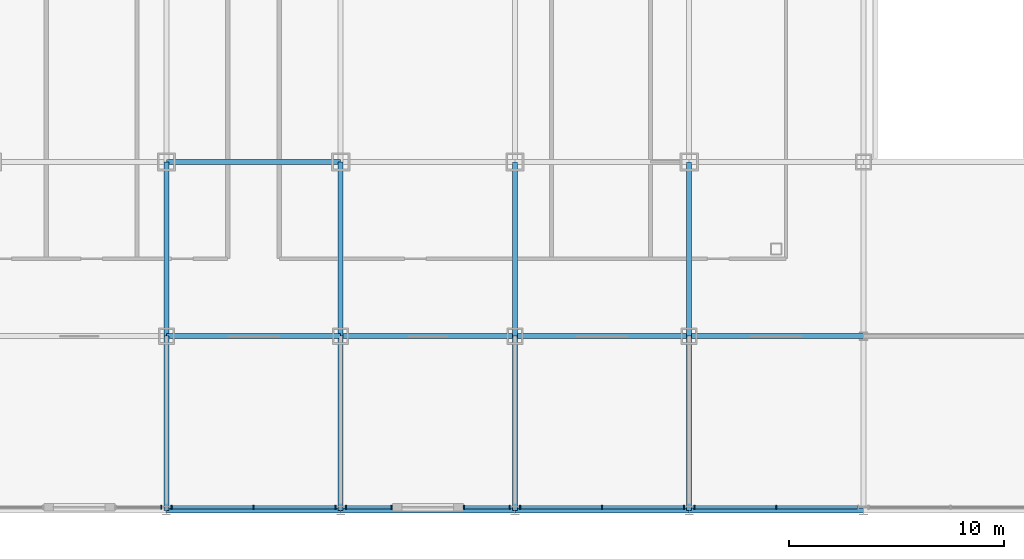
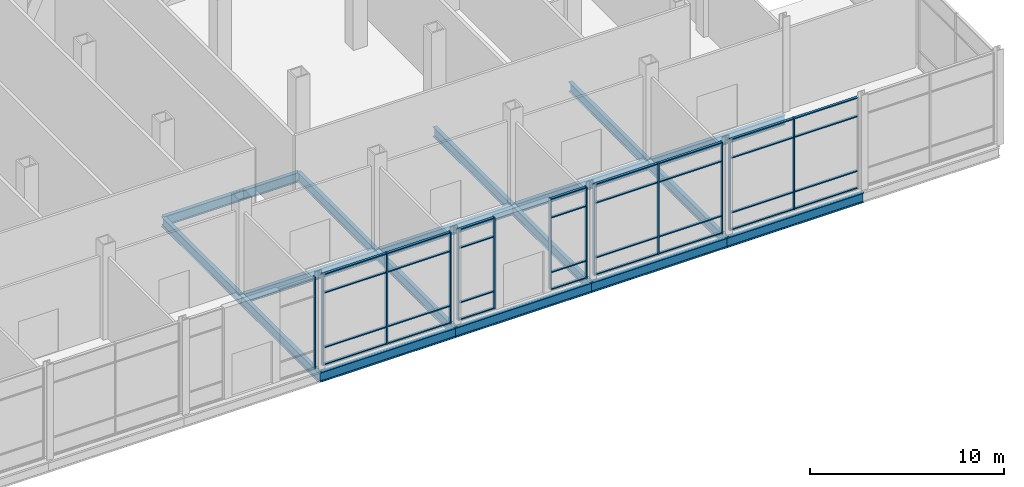
# One storey, part 12 of 35: 45 members, 17 beams, 6 elements without a shape of their own.
"""IFC4 building model written with IfcOpenShell, lengths in metres."""

from ifc_helpers import new_model, si_unit, direction, frame, origin, origin_2d, place, context, subcontext, project, spatial, rectangle, i_section, extrude, material, material_profile, profile_set, type_object, element, aggregate, save


model = new_model("IFC4")

# Units and contexts
model_context = context("Model", 3, precision=1e-05, world=origin(), true_north=direction((0.0, 1.0)))
body_context = subcontext(model_context, "Body", "Model", "MODEL_VIEW")
ifc_project = project(units=[si_unit("LENGTHUNIT", "METRE"), si_unit("AREAUNIT", "SQUARE_METRE"), si_unit("VOLUMEUNIT", "CUBIC_METRE"), si_unit("PLANEANGLEUNIT", "RADIAN"), si_unit("MASSUNIT", "GRAM", prefix="KILO")], contexts=[model_context])

# Site, building, storey
site_placement = place(None, origin())
site = spatial("IfcSite", under=ifc_project, at=site_placement, CompositionType="ELEMENT")
building_placement = place(site_placement, origin())
building = spatial("IfcBuilding", under=site, at=building_placement, Name="Kopane Lantern Tower", CompositionType="ELEMENT")
storey_placement = place(building_placement, origin())
storey = spatial("IfcBuildingStorey", under=building, at=storey_placement, Name="L00", CompositionType="ELEMENT", Elevation=0.0)

# Beams
ifc_material_1 = material(Name="Steel S355JR", Category="steel")
ifc_material_profile_1 = material_profile(ifc_material_1, i_section(OverallWidth=0.22900390625, OverallDepth=0.6123046875, WebThickness=0.011962890625, FlangeThickness=0.01953125, FilletRadius=0.0126953125, at=origin_2d()), Name="UB 610x229x125")
ifc_profile_set_1 = profile_set([ifc_material_profile_1], Name="Steel S355JR")
beam_type = type_object("IfcBeamType", Name="GIRDER UB 610x229x125", PredefinedType="BEAM", material=ifc_profile_set_1)
beam_1_placement = place(storey_placement, frame((24.300048828125, -8.10009765625, -0.55615234375), z_axis=(0.0, 1.0, 0.0), x_axis=(-1.0, 0.0, 0.0)))
element("IfcBeam", 1, at=beam_1_placement, inside=storey, type_object=beam_type, Name="Girder L00", PredefinedType="BEAM", context=body_context, shape_type="SweptSolid", body=[
    extrude(i_section(OverallWidth=0.22900390625, OverallDepth=0.6123046875, WebThickness=0.011962890625, FlangeThickness=0.01953125, FilletRadius=0.0126953125, at=origin_2d()), origin(), (0.0, 0.0, 1.0), 8.10009765625),
])
beam_2_placement = place(storey_placement, frame((24.300048828125, -8.10009765625, -0.55615234375), z_axis=(1.0, 0.0, 0.0), x_axis=(0.0, 1.0, 0.0)))
element("IfcBeam", 2, at=beam_2_placement, inside=storey, type_object=beam_type, Name="Girder L00", PredefinedType="BEAM", context=body_context, shape_type="SweptSolid", body=[
    extrude(i_section(OverallWidth=0.22900390625, OverallDepth=0.6123046875, WebThickness=0.011962890625, FlangeThickness=0.01953125, FilletRadius=0.0126953125, at=origin_2d()), origin(), (0.0, 0.0, 1.0), 8.099853515625),
])
beam_3_placement = place(storey_placement, frame((24.300048828125, 0.0, -0.55615234375), z_axis=(0.0, 1.0, 0.0), x_axis=(-1.0, 0.0, 0.0)))
element("IfcBeam", 3, at=beam_3_placement, inside=storey, type_object=beam_type, Name="Girder L00", PredefinedType="BEAM", context=body_context, shape_type="SweptSolid", body=[
    extrude(i_section(OverallWidth=0.22900390625, OverallDepth=0.6123046875, WebThickness=0.011962890625, FlangeThickness=0.01953125, FilletRadius=0.0126953125, at=origin_2d()), origin(), (0.0, 0.0, 1.0), 8.10009765625),
])
for number, where, z_axis, x_axis, name in (
    (4, (24.300048828125, 0.0, -0.55615234375), (1.0, 0.0, 0.0), (0.0, 1.0, 0.0), "Girder L00"),
    (5, (24.300048828125, 8.10009765625, -0.55615234375), (1.0, 0.0, 0.0), (0.0, 1.0, 0.0), "Girder L00"),
):
    element("IfcBeam", number, at=place(storey_placement, frame(where, z_axis=z_axis, x_axis=x_axis)), inside=storey, type_object=beam_type, Name=name, PredefinedType="BEAM", context=body_context, shape_type="SweptSolid", body=[
        extrude(i_section(OverallWidth=0.22900390625, OverallDepth=0.6123046875, WebThickness=0.011962890625, FlangeThickness=0.01953125, FilletRadius=0.0126953125, at=origin_2d()), origin(), (0.0, 0.0, 1.0), 8.099853515625),
    ])
for number, where, z_axis, x_axis, name in (
    (6, (32.39990234375, -8.10009765625, -0.55615234375), (0.0, 1.0, 0.0), (-1.0, 0.0, 0.0), "Girder L00"),
    (7, (32.39990234375, -8.10009765625, -0.55615234375), (1.0, 0.0, 0.0), (0.0, 1.0, 0.0), "Girder L00"),
    (8, (32.39990234375, 0.0, -0.55615234375), (0.0, 1.0, 0.0), (-1.0, 0.0, 0.0), "Girder L00"),
    (9, (32.39990234375, 0.0, -0.55615234375), (1.0, 0.0, 0.0), (0.0, 1.0, 0.0), "Girder L00"),
    (10, (40.5, -8.10009765625, -0.55615234375), (0.0, 1.0, 0.0), (-1.0, 0.0, 0.0), "Girder L00"),
    (11, (40.5, -8.10009765625, -0.55615234375), (1.0, 0.0, 0.0), (0.0, 1.0, 0.0), "Girder L00"),
    (12, (40.5, 0.0, -0.55615234375), (0.0, 1.0, 0.0), (-1.0, 0.0, 0.0), "Girder L00"),
    (13, (40.5, 0.0, -0.55615234375), (1.0, 0.0, 0.0), (0.0, 1.0, 0.0), "Girder L00"),
    (14, (48.60009765625, -8.10009765625, -0.55615234375), (0.0, 1.0, 0.0), (-1.0, 0.0, 0.0), "Girder L00"),
):
    element("IfcBeam", number, at=place(storey_placement, frame(where, z_axis=z_axis, x_axis=x_axis)), inside=storey, type_object=beam_type, Name=name, PredefinedType="BEAM", context=body_context, shape_type="SweptSolid", body=[
        extrude(i_section(OverallWidth=0.22900390625, OverallDepth=0.6123046875, WebThickness=0.011962890625, FlangeThickness=0.01953125, FilletRadius=0.0126953125, at=origin_2d()), origin(), (0.0, 0.0, 1.0), 8.10009765625),
    ])
beam_4_placement = place(storey_placement, frame((48.60009765625, -8.10009765625, -0.55615234375), z_axis=(1.0, 0.0, 0.0), x_axis=(0.0, 1.0, 0.0)))
element("IfcBeam", 15, at=beam_4_placement, inside=storey, type_object=beam_type, Name="Girder L00", PredefinedType="BEAM", context=body_context, shape_type="SweptSolid", body=[
    extrude(i_section(OverallWidth=0.22900390625, OverallDepth=0.6123046875, WebThickness=0.011962890625, FlangeThickness=0.01953125, FilletRadius=0.0126953125, at=origin_2d()), origin(), (0.0, 0.0, 1.0), 8.099853515625),
])
beam_5_placement = place(storey_placement, frame((48.60009765625, 0.0, -0.55615234375), z_axis=(0.0, 1.0, 0.0), x_axis=(-1.0, 0.0, 0.0)))
element("IfcBeam", 16, at=beam_5_placement, inside=storey, type_object=beam_type, Name="Girder L00", PredefinedType="BEAM", context=body_context, shape_type="SweptSolid", body=[
    extrude(i_section(OverallWidth=0.22900390625, OverallDepth=0.6123046875, WebThickness=0.011962890625, FlangeThickness=0.01953125, FilletRadius=0.0126953125, at=origin_2d()), origin(), (0.0, 0.0, 1.0), 8.10009765625),
])
beam_6_placement = place(storey_placement, frame((48.60009765625, 0.0, -0.55615234375), z_axis=(1.0, 0.0, 0.0), x_axis=(0.0, 1.0, 0.0)))
element("IfcBeam", 17, at=beam_6_placement, inside=storey, type_object=beam_type, Name="Girder L00", PredefinedType="BEAM", context=body_context, shape_type="SweptSolid", body=[
    extrude(i_section(OverallWidth=0.22900390625, OverallDepth=0.6123046875, WebThickness=0.011962890625, FlangeThickness=0.01953125, FilletRadius=0.0126953125, at=origin_2d()), origin(), (0.0, 0.0, 1.0), 8.099853515625),
])

# Curtain wall, member
ifc_material_2 = material(Name="Aluminium and clear glass", Category="aluminium")
curtain_wall_type = type_object("IfcCurtainWallType", Name="CURTAIN WALL CW1 PODIUM STOREFRONT", PredefinedType="USERDEFINED", material=ifc_material_2)
curtain_wall_1_placement = place(storey_placement, origin())
curtain_wall_1 = element("IfcCurtainWall", 18, at=curtain_wall_1_placement, inside=storey, type_object=curtain_wall_type, Name="Curtain wall CW1 S L00", ObjectType="CURTAIN WALL", PredefinedType="USERDEFINED")
ifc_material_3 = material(Name="Aluminium", Category="aluminium")
ifc_material_profile_2 = material_profile(ifc_material_3, rectangle(XDim=0.06494140625, YDim=0.199951171875, at=origin_2d()), Name="AL 65x200")
ifc_profile_set_2 = profile_set([ifc_material_profile_2], Name="Aluminium")
member_type_1 = type_object("IfcMemberType", Name="MULLION CW1-M 65x200", PredefinedType="MULLION", material=ifc_profile_set_2)
member_1_placement = place(storey_placement, frame((24.06103515625, -7.949951171875, 0.0), z_axis=(0.0, 0.0, 1.0), x_axis=(1.0, 0.0, 0.0)))
member_1 = element("IfcMember", 19, at=member_1_placement, type_object=member_type_1, Name="CW1 mullion 2", PredefinedType="MULLION", context=body_context, shape_type="SweptSolid", body=[
    extrude(rectangle(XDim=0.06494140625, YDim=0.199951171875, at=origin_2d()), origin(), (0.0, 0.0, 1.0), 5.75),
])
aggregate(curtain_wall_1, [member_1])

# Curtain wall, members
curtain_wall_2_placement = place(storey_placement, origin())
curtain_wall_2 = element("IfcCurtainWall", 20, at=curtain_wall_2_placement, inside=storey, type_object=curtain_wall_type, Name="Curtain wall CW1 S L00", ObjectType="CURTAIN WALL", PredefinedType="USERDEFINED")
member_2_placement = place(storey_placement, frame((24.5390625, -7.949951171875, 0.0), z_axis=(0.0, 0.0, 1.0), x_axis=(1.0, 0.0, 0.0)))
member_2 = element("IfcMember", 21, at=member_2_placement, type_object=member_type_1, Name="CW1 mullion 1", PredefinedType="MULLION", context=body_context, shape_type="SweptSolid", body=[
    extrude(rectangle(XDim=0.06494140625, YDim=0.199951171875, at=origin_2d()), origin(), (0.0, 0.0, 1.0), 5.75),
])
member_3_placement = place(storey_placement, frame((28.35009765625, -7.949951171875, 0.0), z_axis=(0.0, 0.0, 1.0), x_axis=(1.0, 0.0, 0.0)))
member_3 = element("IfcMember", 22, at=member_3_placement, type_object=member_type_1, Name="CW1 mullion 2", PredefinedType="MULLION", context=body_context, shape_type="SweptSolid", body=[
    extrude(rectangle(XDim=0.06494140625, YDim=0.199951171875, at=origin_2d()), origin(), (0.0, 0.0, 1.0), 5.75),
])
member_4_placement = place(storey_placement, frame((32.160888671875, -7.949951171875, 0.0), z_axis=(0.0, 0.0, 1.0), x_axis=(1.0, 0.0, 0.0)))
member_4 = element("IfcMember", 23, at=member_4_placement, type_object=member_type_1, Name="CW1 mullion 3", PredefinedType="MULLION", context=body_context, shape_type="SweptSolid", body=[
    extrude(rectangle(XDim=0.06494140625, YDim=0.199951171875, at=origin_2d()), origin(), (0.0, 0.0, 1.0), 5.75),
])

curtain_wall_3_placement = place(storey_placement, origin())
curtain_wall_3 = element("IfcCurtainWall", 24, at=curtain_wall_3_placement, inside=storey, type_object=curtain_wall_type, Name="Curtain wall CW1 S L00", ObjectType="CURTAIN WALL", PredefinedType="USERDEFINED")
member_5_placement = place(storey_placement, frame((32.638916015625, -7.949951171875, 0.0), z_axis=(0.0, 0.0, 1.0), x_axis=(1.0, 0.0, 0.0)))
member_5 = element("IfcMember", 25, at=member_5_placement, type_object=member_type_1, Name="CW1 mullion 1", PredefinedType="MULLION", context=body_context, shape_type="SweptSolid", body=[
    extrude(rectangle(XDim=0.06494140625, YDim=0.199951171875, at=origin_2d()), origin(), (0.0, 0.0, 1.0), 5.75),
])
member_6_placement = place(storey_placement, frame((34.767578125, -7.949951171875, 0.0), z_axis=(0.0, 0.0, 1.0), x_axis=(1.0, 0.0, 0.0)))
member_6 = element("IfcMember", 26, at=member_6_placement, type_object=member_type_1, Name="CW1 mullion 2", PredefinedType="MULLION", context=body_context, shape_type="SweptSolid", body=[
    extrude(rectangle(XDim=0.06494140625, YDim=0.199951171875, at=origin_2d()), origin(), (0.0, 0.0, 1.0), 5.75),
])

curtain_wall_4_placement = place(storey_placement, origin())
curtain_wall_4 = element("IfcCurtainWall", 27, at=curtain_wall_4_placement, inside=storey, type_object=curtain_wall_type, Name="Curtain wall CW1 S L00", ObjectType="CURTAIN WALL", PredefinedType="USERDEFINED")
member_7_placement = place(storey_placement, frame((38.132568359375, -7.949951171875, 0.0), z_axis=(0.0, 0.0, 1.0), x_axis=(1.0, 0.0, 0.0)))
member_7 = element("IfcMember", 28, at=member_7_placement, type_object=member_type_1, Name="CW1 mullion 1", PredefinedType="MULLION", context=body_context, shape_type="SweptSolid", body=[
    extrude(rectangle(XDim=0.06494140625, YDim=0.199951171875, at=origin_2d()), origin(), (0.0, 0.0, 1.0), 5.75),
])
member_8_placement = place(storey_placement, frame((40.260986328125, -7.949951171875, 0.0), z_axis=(0.0, 0.0, 1.0), x_axis=(1.0, 0.0, 0.0)))
member_8 = element("IfcMember", 29, at=member_8_placement, type_object=member_type_1, Name="CW1 mullion 2", PredefinedType="MULLION", context=body_context, shape_type="SweptSolid", body=[
    extrude(rectangle(XDim=0.06494140625, YDim=0.199951171875, at=origin_2d()), origin(), (0.0, 0.0, 1.0), 5.75),
])

curtain_wall_5_placement = place(storey_placement, origin())
curtain_wall_5 = element("IfcCurtainWall", 30, at=curtain_wall_5_placement, inside=storey, type_object=curtain_wall_type, Name="Curtain wall CW1 S L00", ObjectType="CURTAIN WALL", PredefinedType="USERDEFINED")
member_9_placement = place(storey_placement, frame((40.739013671875, -7.949951171875, 0.0), z_axis=(0.0, 0.0, 1.0), x_axis=(1.0, 0.0, 0.0)))
member_9 = element("IfcMember", 31, at=member_9_placement, type_object=member_type_1, Name="CW1 mullion 1", PredefinedType="MULLION", context=body_context, shape_type="SweptSolid", body=[
    extrude(rectangle(XDim=0.06494140625, YDim=0.199951171875, at=origin_2d()), origin(), (0.0, 0.0, 1.0), 5.75),
])
member_10_placement = place(storey_placement, frame((44.550048828125, -7.949951171875, 0.0), z_axis=(0.0, 0.0, 1.0), x_axis=(1.0, 0.0, 0.0)))
member_10 = element("IfcMember", 32, at=member_10_placement, type_object=member_type_1, Name="CW1 mullion 2", PredefinedType="MULLION", context=body_context, shape_type="SweptSolid", body=[
    extrude(rectangle(XDim=0.06494140625, YDim=0.199951171875, at=origin_2d()), origin(), (0.0, 0.0, 1.0), 5.75),
])
member_11_placement = place(storey_placement, frame((48.361083984375, -7.949951171875, 0.0), z_axis=(0.0, 0.0, 1.0), x_axis=(1.0, 0.0, 0.0)))
member_11 = element("IfcMember", 33, at=member_11_placement, type_object=member_type_1, Name="CW1 mullion 3", PredefinedType="MULLION", context=body_context, shape_type="SweptSolid", body=[
    extrude(rectangle(XDim=0.06494140625, YDim=0.199951171875, at=origin_2d()), origin(), (0.0, 0.0, 1.0), 5.75),
])

curtain_wall_6_placement = place(storey_placement, origin())
curtain_wall_6 = element("IfcCurtainWall", 34, at=curtain_wall_6_placement, inside=storey, type_object=curtain_wall_type, Name="Curtain wall CW1 S L00", ObjectType="CURTAIN WALL", PredefinedType="USERDEFINED")
member_12_placement = place(storey_placement, frame((48.839111328125, -7.949951171875, 0.0), z_axis=(0.0, 0.0, 1.0), x_axis=(1.0, 0.0, 0.0)))
member_12 = element("IfcMember", 35, at=member_12_placement, type_object=member_type_1, Name="CW1 mullion 1", PredefinedType="MULLION", context=body_context, shape_type="SweptSolid", body=[
    extrude(rectangle(XDim=0.06494140625, YDim=0.199951171875, at=origin_2d()), origin(), (0.0, 0.0, 1.0), 5.75),
])
member_13_placement = place(storey_placement, frame((52.64990234375, -7.949951171875, 0.0), z_axis=(0.0, 0.0, 1.0), x_axis=(1.0, 0.0, 0.0)))
member_13 = element("IfcMember", 36, at=member_13_placement, type_object=member_type_1, Name="CW1 mullion 2", PredefinedType="MULLION", context=body_context, shape_type="SweptSolid", body=[
    extrude(rectangle(XDim=0.06494140625, YDim=0.199951171875, at=origin_2d()), origin(), (0.0, 0.0, 1.0), 5.75),
])

# Member
ifc_material_4 = material(Name="Aluminium", Category="aluminium")
ifc_material_profile_3 = material_profile(ifc_material_4, rectangle(XDim=0.14990234375, YDim=0.06494140625, at=origin_2d()), Name="AL 150x65")
ifc_profile_set_3 = profile_set([ifc_material_profile_3], Name="Aluminium")
member_type_2 = type_object("IfcMemberType", Name="TRANSOM CW1-T 65x150", PredefinedType="USERDEFINED", material=ifc_profile_set_3)
member_14_placement = place(storey_placement, frame((24.571533203125, -7.949951171875, 0.032470703125), z_axis=(1.0, 0.0, 0.0), x_axis=(0.0, 1.0, 0.0)))
member_14 = element("IfcMember", 37, at=member_14_placement, type_object=member_type_2, Name="CW1 transom 1.1", ObjectType="TRANSOM", PredefinedType="USERDEFINED", context=body_context, shape_type="SweptSolid", body=[
    extrude(rectangle(XDim=0.14990234375, YDim=0.06494140625, at=origin_2d()), origin(), (0.0, 0.0, 1.0), 3.745849609375),
])

member_15_placement = place(storey_placement, frame((24.571533203125, -7.949951171875, 1.10009765625), z_axis=(1.0, 0.0, 0.0), x_axis=(0.0, 1.0, 0.0)))
member_15 = element("IfcMember", 38, at=member_15_placement, type_object=member_type_2, Name="CW1 transom 1.2", ObjectType="TRANSOM", PredefinedType="USERDEFINED", context=body_context, shape_type="SweptSolid", body=[
    extrude(rectangle(XDim=0.14990234375, YDim=0.06494140625, at=origin_2d()), origin(), (0.0, 0.0, 1.0), 3.745849609375),
])

member_16_placement = place(storey_placement, frame((24.571533203125, -7.949951171875, 4.550048828125), z_axis=(1.0, 0.0, 0.0), x_axis=(0.0, 1.0, 0.0)))
member_16 = element("IfcMember", 39, at=member_16_placement, type_object=member_type_2, Name="CW1 transom 1.3", ObjectType="TRANSOM", PredefinedType="USERDEFINED", context=body_context, shape_type="SweptSolid", body=[
    extrude(rectangle(XDim=0.14990234375, YDim=0.06494140625, at=origin_2d()), origin(), (0.0, 0.0, 1.0), 3.745849609375),
])

member_17_placement = place(storey_placement, frame((24.571533203125, -7.949951171875, 5.717529296875), z_axis=(1.0, 0.0, 0.0), x_axis=(0.0, 1.0, 0.0)))
member_17 = element("IfcMember", 40, at=member_17_placement, type_object=member_type_2, Name="CW1 transom 1.4", ObjectType="TRANSOM", PredefinedType="USERDEFINED", context=body_context, shape_type="SweptSolid", body=[
    extrude(rectangle(XDim=0.14990234375, YDim=0.06494140625, at=origin_2d()), origin(), (0.0, 0.0, 1.0), 3.745849609375),
])

member_18_placement = place(storey_placement, frame((28.382568359375, -7.949951171875, 0.032470703125), z_axis=(1.0, 0.0, 0.0), x_axis=(0.0, 1.0, 0.0)))
member_18 = element("IfcMember", 41, at=member_18_placement, type_object=member_type_2, Name="CW1 transom 2.1", ObjectType="TRANSOM", PredefinedType="USERDEFINED", context=body_context, shape_type="SweptSolid", body=[
    extrude(rectangle(XDim=0.14990234375, YDim=0.06494140625, at=origin_2d()), origin(), (0.0, 0.0, 1.0), 3.745849609375),
])

member_19_placement = place(storey_placement, frame((28.382568359375, -7.949951171875, 1.10009765625), z_axis=(1.0, 0.0, 0.0), x_axis=(0.0, 1.0, 0.0)))
member_19 = element("IfcMember", 42, at=member_19_placement, type_object=member_type_2, Name="CW1 transom 2.2", ObjectType="TRANSOM", PredefinedType="USERDEFINED", context=body_context, shape_type="SweptSolid", body=[
    extrude(rectangle(XDim=0.14990234375, YDim=0.06494140625, at=origin_2d()), origin(), (0.0, 0.0, 1.0), 3.745849609375),
])

member_20_placement = place(storey_placement, frame((28.382568359375, -7.949951171875, 4.550048828125), z_axis=(1.0, 0.0, 0.0), x_axis=(0.0, 1.0, 0.0)))
member_20 = element("IfcMember", 43, at=member_20_placement, type_object=member_type_2, Name="CW1 transom 2.3", ObjectType="TRANSOM", PredefinedType="USERDEFINED", context=body_context, shape_type="SweptSolid", body=[
    extrude(rectangle(XDim=0.14990234375, YDim=0.06494140625, at=origin_2d()), origin(), (0.0, 0.0, 1.0), 3.745849609375),
])

member_21_placement = place(storey_placement, frame((28.382568359375, -7.949951171875, 5.717529296875), z_axis=(1.0, 0.0, 0.0), x_axis=(0.0, 1.0, 0.0)))
member_21 = element("IfcMember", 44, at=member_21_placement, type_object=member_type_2, Name="CW1 transom 2.4", ObjectType="TRANSOM", PredefinedType="USERDEFINED", context=body_context, shape_type="SweptSolid", body=[
    extrude(rectangle(XDim=0.14990234375, YDim=0.06494140625, at=origin_2d()), origin(), (0.0, 0.0, 1.0), 3.745849609375),
])

aggregate(curtain_wall_2, [member_2, member_3, member_4, member_14, member_15, member_16, member_17, member_18, member_19, member_20, member_21])

member_22_placement = place(storey_placement, frame((32.67138671875, -7.949951171875, 0.032470703125), z_axis=(1.0, 0.0, 0.0), x_axis=(0.0, 1.0, 0.0)))
member_22 = element("IfcMember", 45, at=member_22_placement, type_object=member_type_2, Name="CW1 transom 1.1", ObjectType="TRANSOM", PredefinedType="USERDEFINED", context=body_context, shape_type="SweptSolid", body=[
    extrude(rectangle(XDim=0.14990234375, YDim=0.06494140625, at=origin_2d()), origin(), (0.0, 0.0, 1.0), 2.063720703125),
])

member_23_placement = place(storey_placement, frame((32.67138671875, -7.949951171875, 1.10009765625), z_axis=(1.0, 0.0, 0.0), x_axis=(0.0, 1.0, 0.0)))
member_23 = element("IfcMember", 46, at=member_23_placement, type_object=member_type_2, Name="CW1 transom 1.2", ObjectType="TRANSOM", PredefinedType="USERDEFINED", context=body_context, shape_type="SweptSolid", body=[
    extrude(rectangle(XDim=0.14990234375, YDim=0.06494140625, at=origin_2d()), origin(), (0.0, 0.0, 1.0), 2.063720703125),
])

member_24_placement = place(storey_placement, frame((32.67138671875, -7.949951171875, 4.550048828125), z_axis=(1.0, 0.0, 0.0), x_axis=(0.0, 1.0, 0.0)))
member_24 = element("IfcMember", 47, at=member_24_placement, type_object=member_type_2, Name="CW1 transom 1.3", ObjectType="TRANSOM", PredefinedType="USERDEFINED", context=body_context, shape_type="SweptSolid", body=[
    extrude(rectangle(XDim=0.14990234375, YDim=0.06494140625, at=origin_2d()), origin(), (0.0, 0.0, 1.0), 2.063720703125),
])

member_25_placement = place(storey_placement, frame((32.67138671875, -7.949951171875, 5.717529296875), z_axis=(1.0, 0.0, 0.0), x_axis=(0.0, 1.0, 0.0)))
member_25 = element("IfcMember", 48, at=member_25_placement, type_object=member_type_2, Name="CW1 transom 1.4", ObjectType="TRANSOM", PredefinedType="USERDEFINED", context=body_context, shape_type="SweptSolid", body=[
    extrude(rectangle(XDim=0.14990234375, YDim=0.06494140625, at=origin_2d()), origin(), (0.0, 0.0, 1.0), 2.063720703125),
])

aggregate(curtain_wall_3, [member_5, member_6, member_22, member_23, member_24, member_25])

member_26_placement = place(storey_placement, frame((38.1650390625, -7.949951171875, 0.032470703125), z_axis=(1.0, 0.0, 0.0), x_axis=(0.0, 1.0, 0.0)))
member_26 = element("IfcMember", 49, at=member_26_placement, type_object=member_type_2, Name="CW1 transom 1.1", ObjectType="TRANSOM", PredefinedType="USERDEFINED", context=body_context, shape_type="SweptSolid", body=[
    extrude(rectangle(XDim=0.14990234375, YDim=0.06494140625, at=origin_2d()), origin(), (0.0, 0.0, 1.0), 2.0634765625),
])

member_27_placement = place(storey_placement, frame((38.1650390625, -7.949951171875, 1.10009765625), z_axis=(1.0, 0.0, 0.0), x_axis=(0.0, 1.0, 0.0)))
member_27 = element("IfcMember", 50, at=member_27_placement, type_object=member_type_2, Name="CW1 transom 1.2", ObjectType="TRANSOM", PredefinedType="USERDEFINED", context=body_context, shape_type="SweptSolid", body=[
    extrude(rectangle(XDim=0.14990234375, YDim=0.06494140625, at=origin_2d()), origin(), (0.0, 0.0, 1.0), 2.0634765625),
])

member_28_placement = place(storey_placement, frame((38.1650390625, -7.949951171875, 4.550048828125), z_axis=(1.0, 0.0, 0.0), x_axis=(0.0, 1.0, 0.0)))
member_28 = element("IfcMember", 51, at=member_28_placement, type_object=member_type_2, Name="CW1 transom 1.3", ObjectType="TRANSOM", PredefinedType="USERDEFINED", context=body_context, shape_type="SweptSolid", body=[
    extrude(rectangle(XDim=0.14990234375, YDim=0.06494140625, at=origin_2d()), origin(), (0.0, 0.0, 1.0), 2.0634765625),
])

member_29_placement = place(storey_placement, frame((38.1650390625, -7.949951171875, 5.717529296875), z_axis=(1.0, 0.0, 0.0), x_axis=(0.0, 1.0, 0.0)))
member_29 = element("IfcMember", 52, at=member_29_placement, type_object=member_type_2, Name="CW1 transom 1.4", ObjectType="TRANSOM", PredefinedType="USERDEFINED", context=body_context, shape_type="SweptSolid", body=[
    extrude(rectangle(XDim=0.14990234375, YDim=0.06494140625, at=origin_2d()), origin(), (0.0, 0.0, 1.0), 2.0634765625),
])

aggregate(curtain_wall_4, [member_7, member_8, member_26, member_27, member_28, member_29])

member_30_placement = place(storey_placement, frame((40.771484375, -7.949951171875, 0.032470703125), z_axis=(1.0, 0.0, 0.0), x_axis=(0.0, 1.0, 0.0)))
member_30 = element("IfcMember", 53, at=member_30_placement, type_object=member_type_2, Name="CW1 transom 1.1", ObjectType="TRANSOM", PredefinedType="USERDEFINED", context=body_context, shape_type="SweptSolid", body=[
    extrude(rectangle(XDim=0.14990234375, YDim=0.06494140625, at=origin_2d()), origin(), (0.0, 0.0, 1.0), 3.74609375),
])

member_31_placement = place(storey_placement, frame((40.771484375, -7.949951171875, 1.10009765625), z_axis=(1.0, 0.0, 0.0), x_axis=(0.0, 1.0, 0.0)))
member_31 = element("IfcMember", 54, at=member_31_placement, type_object=member_type_2, Name="CW1 transom 1.2", ObjectType="TRANSOM", PredefinedType="USERDEFINED", context=body_context, shape_type="SweptSolid", body=[
    extrude(rectangle(XDim=0.14990234375, YDim=0.06494140625, at=origin_2d()), origin(), (0.0, 0.0, 1.0), 3.74609375),
])

member_32_placement = place(storey_placement, frame((40.771484375, -7.949951171875, 4.550048828125), z_axis=(1.0, 0.0, 0.0), x_axis=(0.0, 1.0, 0.0)))
member_32 = element("IfcMember", 55, at=member_32_placement, type_object=member_type_2, Name="CW1 transom 1.3", ObjectType="TRANSOM", PredefinedType="USERDEFINED", context=body_context, shape_type="SweptSolid", body=[
    extrude(rectangle(XDim=0.14990234375, YDim=0.06494140625, at=origin_2d()), origin(), (0.0, 0.0, 1.0), 3.74609375),
])

member_33_placement = place(storey_placement, frame((40.771484375, -7.949951171875, 5.717529296875), z_axis=(1.0, 0.0, 0.0), x_axis=(0.0, 1.0, 0.0)))
member_33 = element("IfcMember", 56, at=member_33_placement, type_object=member_type_2, Name="CW1 transom 1.4", ObjectType="TRANSOM", PredefinedType="USERDEFINED", context=body_context, shape_type="SweptSolid", body=[
    extrude(rectangle(XDim=0.14990234375, YDim=0.06494140625, at=origin_2d()), origin(), (0.0, 0.0, 1.0), 3.74609375),
])

member_34_placement = place(storey_placement, frame((44.58251953125, -7.949951171875, 0.032470703125), z_axis=(1.0, 0.0, 0.0), x_axis=(0.0, 1.0, 0.0)))
member_34 = element("IfcMember", 57, at=member_34_placement, type_object=member_type_2, Name="CW1 transom 2.1", ObjectType="TRANSOM", PredefinedType="USERDEFINED", context=body_context, shape_type="SweptSolid", body=[
    extrude(rectangle(XDim=0.14990234375, YDim=0.06494140625, at=origin_2d()), origin(), (0.0, 0.0, 1.0), 3.74609375),
])

member_35_placement = place(storey_placement, frame((44.58251953125, -7.949951171875, 1.10009765625), z_axis=(1.0, 0.0, 0.0), x_axis=(0.0, 1.0, 0.0)))
member_35 = element("IfcMember", 58, at=member_35_placement, type_object=member_type_2, Name="CW1 transom 2.2", ObjectType="TRANSOM", PredefinedType="USERDEFINED", context=body_context, shape_type="SweptSolid", body=[
    extrude(rectangle(XDim=0.14990234375, YDim=0.06494140625, at=origin_2d()), origin(), (0.0, 0.0, 1.0), 3.74609375),
])

member_36_placement = place(storey_placement, frame((44.58251953125, -7.949951171875, 4.550048828125), z_axis=(1.0, 0.0, 0.0), x_axis=(0.0, 1.0, 0.0)))
member_36 = element("IfcMember", 59, at=member_36_placement, type_object=member_type_2, Name="CW1 transom 2.3", ObjectType="TRANSOM", PredefinedType="USERDEFINED", context=body_context, shape_type="SweptSolid", body=[
    extrude(rectangle(XDim=0.14990234375, YDim=0.06494140625, at=origin_2d()), origin(), (0.0, 0.0, 1.0), 3.74609375),
])

member_37_placement = place(storey_placement, frame((44.58251953125, -7.949951171875, 5.717529296875), z_axis=(1.0, 0.0, 0.0), x_axis=(0.0, 1.0, 0.0)))
member_37 = element("IfcMember", 60, at=member_37_placement, type_object=member_type_2, Name="CW1 transom 2.4", ObjectType="TRANSOM", PredefinedType="USERDEFINED", context=body_context, shape_type="SweptSolid", body=[
    extrude(rectangle(XDim=0.14990234375, YDim=0.06494140625, at=origin_2d()), origin(), (0.0, 0.0, 1.0), 3.74609375),
])

aggregate(curtain_wall_5, [member_9, member_10, member_11, member_30, member_31, member_32, member_33, member_34, member_35, member_36, member_37])

member_38_placement = place(storey_placement, frame((48.87158203125, -7.949951171875, 0.032470703125), z_axis=(1.0, 0.0, 0.0), x_axis=(0.0, 1.0, 0.0)))
member_38 = element("IfcMember", 61, at=member_38_placement, type_object=member_type_2, Name="CW1 transom 1.1", ObjectType="TRANSOM", PredefinedType="USERDEFINED", context=body_context, shape_type="SweptSolid", body=[
    extrude(rectangle(XDim=0.14990234375, YDim=0.06494140625, at=origin_2d()), origin(), (0.0, 0.0, 1.0), 3.745849609375),
])

member_39_placement = place(storey_placement, frame((48.87158203125, -7.949951171875, 1.10009765625), z_axis=(1.0, 0.0, 0.0), x_axis=(0.0, 1.0, 0.0)))
member_39 = element("IfcMember", 62, at=member_39_placement, type_object=member_type_2, Name="CW1 transom 1.2", ObjectType="TRANSOM", PredefinedType="USERDEFINED", context=body_context, shape_type="SweptSolid", body=[
    extrude(rectangle(XDim=0.14990234375, YDim=0.06494140625, at=origin_2d()), origin(), (0.0, 0.0, 1.0), 3.745849609375),
])

member_40_placement = place(storey_placement, frame((48.87158203125, -7.949951171875, 4.550048828125), z_axis=(1.0, 0.0, 0.0), x_axis=(0.0, 1.0, 0.0)))
member_40 = element("IfcMember", 63, at=member_40_placement, type_object=member_type_2, Name="CW1 transom 1.3", ObjectType="TRANSOM", PredefinedType="USERDEFINED", context=body_context, shape_type="SweptSolid", body=[
    extrude(rectangle(XDim=0.14990234375, YDim=0.06494140625, at=origin_2d()), origin(), (0.0, 0.0, 1.0), 3.745849609375),
])

member_41_placement = place(storey_placement, frame((48.87158203125, -7.949951171875, 5.717529296875), z_axis=(1.0, 0.0, 0.0), x_axis=(0.0, 1.0, 0.0)))
member_41 = element("IfcMember", 64, at=member_41_placement, type_object=member_type_2, Name="CW1 transom 1.4", ObjectType="TRANSOM", PredefinedType="USERDEFINED", context=body_context, shape_type="SweptSolid", body=[
    extrude(rectangle(XDim=0.14990234375, YDim=0.06494140625, at=origin_2d()), origin(), (0.0, 0.0, 1.0), 3.745849609375),
])

member_42_placement = place(storey_placement, frame((52.6826171875, -7.949951171875, 0.032470703125), z_axis=(1.0, 0.0, 0.0), x_axis=(0.0, 1.0, 0.0)))
member_42 = element("IfcMember", 65, at=member_42_placement, type_object=member_type_2, Name="CW1 transom 2.1", ObjectType="TRANSOM", PredefinedType="USERDEFINED", context=body_context, shape_type="SweptSolid", body=[
    extrude(rectangle(XDim=0.14990234375, YDim=0.06494140625, at=origin_2d()), origin(), (0.0, 0.0, 1.0), 3.745849609375),
])

member_43_placement = place(storey_placement, frame((52.6826171875, -7.949951171875, 1.10009765625), z_axis=(1.0, 0.0, 0.0), x_axis=(0.0, 1.0, 0.0)))
member_43 = element("IfcMember", 66, at=member_43_placement, type_object=member_type_2, Name="CW1 transom 2.2", ObjectType="TRANSOM", PredefinedType="USERDEFINED", context=body_context, shape_type="SweptSolid", body=[
    extrude(rectangle(XDim=0.14990234375, YDim=0.06494140625, at=origin_2d()), origin(), (0.0, 0.0, 1.0), 3.745849609375),
])

member_44_placement = place(storey_placement, frame((52.6826171875, -7.949951171875, 4.550048828125), z_axis=(1.0, 0.0, 0.0), x_axis=(0.0, 1.0, 0.0)))
member_44 = element("IfcMember", 67, at=member_44_placement, type_object=member_type_2, Name="CW1 transom 2.3", ObjectType="TRANSOM", PredefinedType="USERDEFINED", context=body_context, shape_type="SweptSolid", body=[
    extrude(rectangle(XDim=0.14990234375, YDim=0.06494140625, at=origin_2d()), origin(), (0.0, 0.0, 1.0), 3.745849609375),
])

member_45_placement = place(storey_placement, frame((52.6826171875, -7.949951171875, 5.717529296875), z_axis=(1.0, 0.0, 0.0), x_axis=(0.0, 1.0, 0.0)))
member_45 = element("IfcMember", 68, at=member_45_placement, type_object=member_type_2, Name="CW1 transom 2.4", ObjectType="TRANSOM", PredefinedType="USERDEFINED", context=body_context, shape_type="SweptSolid", body=[
    extrude(rectangle(XDim=0.14990234375, YDim=0.06494140625, at=origin_2d()), origin(), (0.0, 0.0, 1.0), 3.745849609375),
])

aggregate(curtain_wall_6, [member_12, member_13, member_38, member_39, member_40, member_41, member_42, member_43, member_44, member_45])

save(model, "model.ifc")
